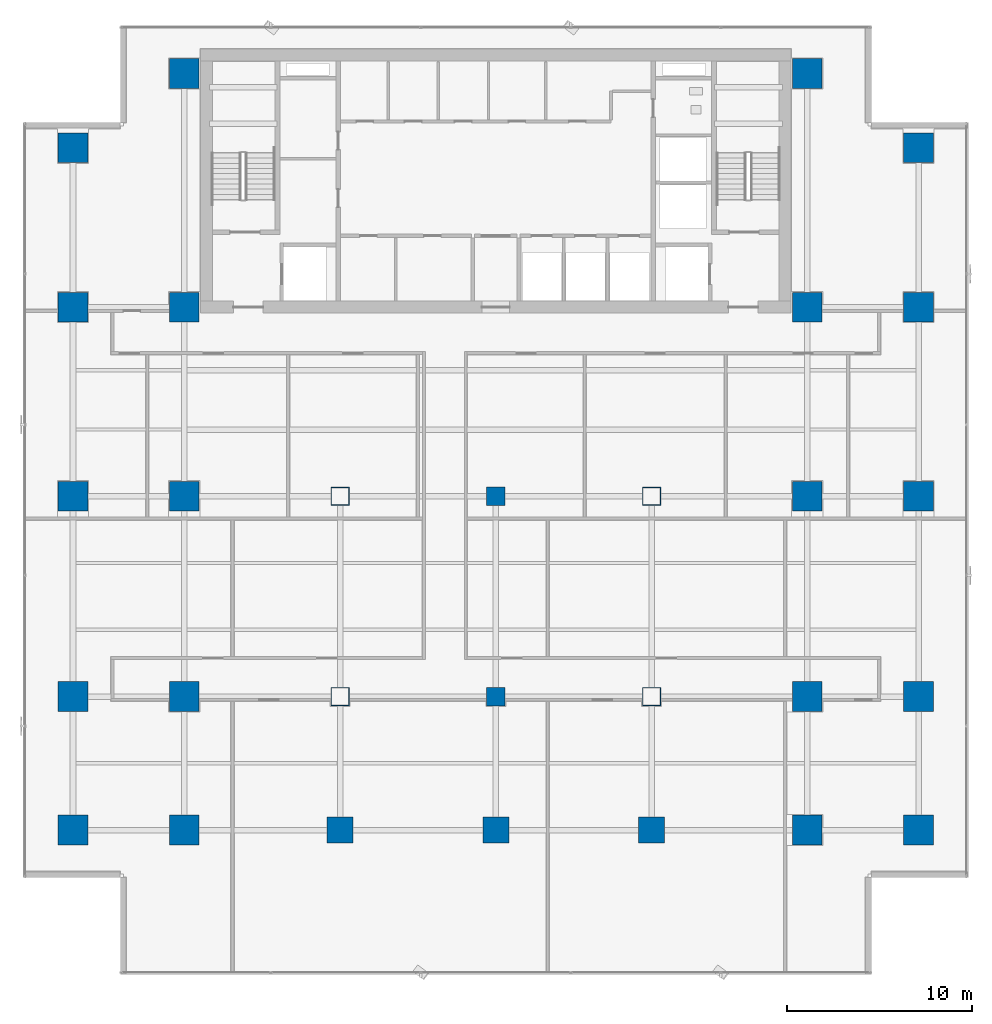
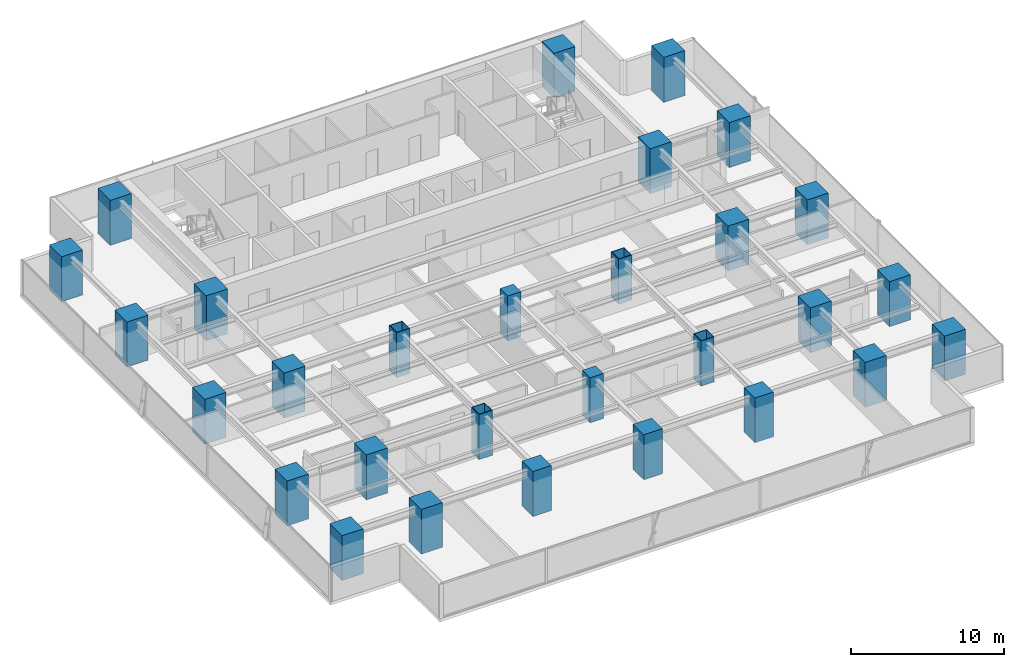
# One storey, part 1 of 37: 29 columns.
"""IFC4 building model written with IfcOpenShell, lengths in metres."""

from ifc_helpers import new_model, si_unit, direction, frame, origin, origin_2d, place, context, subcontext, project, spatial, rectangle, hollow_rectangle, extrude, source, transform, mapped, material, material_profile, profile_set, type_object, element, save


model = new_model("IFC4")

# Units and contexts
model_context = context("Model", 3, precision=1e-05, world=origin(), true_north=direction((0.0, 1.0)))
body_context = subcontext(model_context, "Body", "Model", "MODEL_VIEW")
ifc_project = project(units=[si_unit("LENGTHUNIT", "METRE"), si_unit("AREAUNIT", "SQUARE_METRE"), si_unit("VOLUMEUNIT", "CUBIC_METRE"), si_unit("PLANEANGLEUNIT", "RADIAN"), si_unit("MASSUNIT", "GRAM", prefix="KILO")], contexts=[model_context])

# Site, building, storey
site_placement = place(None, origin())
site = spatial("IfcSite", under=ifc_project, at=site_placement, CompositionType="ELEMENT")
building_placement = place(site_placement, origin())
building = spatial("IfcBuilding", under=site, at=building_placement, Name="Sumidabori Civic Tower", CompositionType="ELEMENT")
storey_placement = place(building_placement, frame((0.0, 0.0, 95.60009765625)))
storey = spatial("IfcBuildingStorey", under=building, at=storey_placement, Name="L24", CompositionType="ELEMENT", Elevation=95.60009765625)

# Columns
ifc_material_1 = material(Name="Concrete C60/75", Category="concrete")
ifc_material_profile_1 = material_profile(ifc_material_1, rectangle(XDim=1.60009765625, YDim=1.60009765625, at=origin_2d()), Name="RC 1600x1600")
ifc_profile_set_1 = profile_set([ifc_material_profile_1], Name="Concrete C60/75")
column_type_1 = type_object("IfcColumnType", Name="CL-MEGA-1600", PredefinedType="COLUMN", material=ifc_profile_set_1)
shared_shape_1 = source(origin(), body_context, "Body", "SweptSolid", [
    extrude(rectangle(XDim=1.60009765625, YDim=1.60009765625, at=origin_2d()), origin(), (0.0, 0.0, 1.0), 3.599853515625),
])
for number, where, z_axis, x_axis, name in (
    (1, (-16.800048828125, -18.0, 0.0), (0.0, 0.0, 1.0), (1.0, 0.0, 0.0), "Column MC-W16-Y18S L24"),
    (2, (-16.800048828125, -10.800048828125, 0.0), (0.0, 0.0, 1.0), (1.0, 0.0, 0.0), "Column MC-W16-Y11S L24"),
    (3, (-16.800048828125, 0.0, 0.0), (0.0, 0.0, 1.0), (1.0, 0.0, 0.0), "Column MC-W16-Y00 L24"),
    (4, (-16.800048828125, 10.199951171875, 0.0), (0.0, 0.0, 1.0), (1.0, 0.0, 0.0), "Column MC-W16-Y10N L24"),
    (5, (-16.800048828125, 22.800048828125, 0.0), (0.0, 0.0, 1.0), (1.0, 0.0, 0.0), "Column MC-W16-Y23N L24"),
    (6, (16.800048828125, -18.0, 0.0), (0.0, 0.0, 1.0), (1.0, 0.0, 0.0), "Column MC-E16-Y18S L24"),
    (7, (16.800048828125, -10.800048828125, 0.0), (0.0, 0.0, 1.0), (1.0, 0.0, 0.0), "Column MC-E16-Y11S L24"),
    (8, (16.800048828125, 0.0, 0.0), (0.0, 0.0, 1.0), (1.0, 0.0, 0.0), "Column MC-E16-Y00 L24"),
    (9, (16.800048828125, 10.199951171875, 0.0), (0.0, 0.0, 1.0), (1.0, 0.0, 0.0), "Column MC-E16-Y10N L24"),
    (10, (16.800048828125, 22.800048828125, 0.0), (0.0, 0.0, 1.0), (1.0, 0.0, 0.0), "Column MC-E16-Y23N L24"),
    (11, (-22.800048828125, -18.0, 0.0), (0.0, 0.0, 1.0), (1.0, 0.0, 0.0), "Column MC-W23-Y18S L24"),
    (12, (-22.800048828125, -10.800048828125, 0.0), (0.0, 0.0, 1.0), (1.0, 0.0, 0.0), "Column MC-W23-Y11S L24"),
    (13, (-22.800048828125, 0.0, 0.0), (0.0, 0.0, 1.0), (1.0, 0.0, 0.0), "Column MC-W23-Y00 L24"),
    (14, (-22.800048828125, 10.199951171875, 0.0), (0.0, 0.0, 1.0), (1.0, 0.0, 0.0), "Column MC-W23-Y10N L24"),
    (15, (-22.800048828125, 18.800048828125, 0.0), (0.0, 0.0, 1.0), (1.0, 0.0, 0.0), "Column MC-W23-Y19N L24"),
    (16, (22.800048828125, -18.0, 0.0), (0.0, 0.0, 1.0), (1.0, 0.0, 0.0), "Column MC-E23-Y18S L24"),
    (17, (22.800048828125, -10.800048828125, 0.0), (0.0, 0.0, 1.0), (1.0, 0.0, 0.0), "Column MC-E23-Y11S L24"),
    (18, (22.800048828125, 0.0, 0.0), (0.0, 0.0, 1.0), (1.0, 0.0, 0.0), "Column MC-E23-Y00 L24"),
    (19, (22.800048828125, 10.199951171875, 0.0), (0.0, 0.0, 1.0), (1.0, 0.0, 0.0), "Column MC-E23-Y10N L24"),
    (20, (22.800048828125, 18.800048828125, 0.0), (0.0, 0.0, 1.0), (1.0, 0.0, 0.0), "Column MC-E23-Y19N L24"),
):
    element("IfcColumn", number, at=place(storey_placement, frame(where, z_axis=z_axis, x_axis=x_axis)), inside=storey, type_object=column_type_1, Name=name, PredefinedType="COLUMN", context=body_context, shape_type="MappedRepresentation", body=[
        mapped(shared_shape_1, transform((0.0, 0.0, 0.0), x_axis=(1.0, 0.0, 0.0), y_axis=(0.0, 1.0, 0.0), z_axis=(0.0, 0.0, 1.0), scale=1.0)),
    ])
ifc_material_2 = material(Name="Steel SM570", Category="steel")
ifc_material_profile_2 = material_profile(ifc_material_2, hollow_rectangle(XDim=1.0, YDim=1.0, WallThickness=0.044921875, at=origin_2d()), Name="SHS 1000x1000x45")
ifc_profile_set_2 = profile_set([ifc_material_profile_2], Name="Steel SM570")
column_type_2 = type_object("IfcColumnType", Name="CL-PORTAL-SHS1000", PredefinedType="COLUMN", material=ifc_profile_set_2)
shared_shape_2 = source(origin(), body_context, "Body", "SweptSolid", [
    extrude(hollow_rectangle(XDim=1.0, YDim=1.0, WallThickness=0.044921875, at=origin_2d()), origin(), (0.0, 0.0, 1.0), 3.599853515625),
])
for number, where, z_axis, x_axis, name in (
    (21, (-8.39990234375, 0.0, 0.0), (0.0, 0.0, 1.0), (1.0, 0.0, 0.0), "Column MC-W08-Y00 L24"),
    (22, (-8.39990234375, -10.800048828125, 0.0), (0.0, 0.0, 1.0), (1.0, 0.0, 0.0), "Column MC-W08-Y11S L24"),
    (23, (8.39990234375, 0.0, 0.0), (0.0, 0.0, 1.0), (1.0, 0.0, 0.0), "Column MC-E08-Y00 L24"),
    (24, (8.39990234375, -10.800048828125, 0.0), (0.0, 0.0, 1.0), (1.0, 0.0, 0.0), "Column MC-E08-Y11S L24"),
):
    element("IfcColumn", number, at=place(storey_placement, frame(where, z_axis=z_axis, x_axis=x_axis)), inside=storey, type_object=column_type_2, Name=name, PredefinedType="COLUMN", context=body_context, shape_type="MappedRepresentation", body=[
        mapped(shared_shape_2, transform((0.0, 0.0, 0.0), x_axis=(1.0, 0.0, 0.0), y_axis=(0.0, 1.0, 0.0), z_axis=(0.0, 0.0, 1.0), scale=1.0)),
    ])
ifc_material_profile_3 = material_profile(ifc_material_1, rectangle(XDim=1.39990234375, YDim=1.39990234375, at=origin_2d()), Name="RC 1400x1400")
ifc_profile_set_3 = profile_set([ifc_material_profile_3], Name="Concrete C60/75")
column_type_3 = type_object("IfcColumnType", Name="CL-MEGA-1400", PredefinedType="COLUMN", material=ifc_profile_set_3)
shared_shape_3 = source(origin(), body_context, "Body", "SweptSolid", [
    extrude(rectangle(XDim=1.39990234375, YDim=1.39990234375, at=origin_2d()), origin(), (0.0, 0.0, 1.0), 3.599853515625),
])
for number, where, z_axis, x_axis, name in (
    (25, (-8.39990234375, -18.0, 0.0), (0.0, 0.0, 1.0), (1.0, 0.0, 0.0), "Column MC-W08-Y18S L24"),
    (26, (8.39990234375, -18.0, 0.0), (0.0, 0.0, 1.0), (1.0, 0.0, 0.0), "Column MC-E08-Y18S L24"),
    (27, (0.0, -18.0, 0.0), (0.0, 0.0, 1.0), (1.0, 0.0, 0.0), "Column MC-C00-Y18S L24"),
):
    element("IfcColumn", number, at=place(storey_placement, frame(where, z_axis=z_axis, x_axis=x_axis)), inside=storey, type_object=column_type_3, Name=name, PredefinedType="COLUMN", context=body_context, shape_type="MappedRepresentation", body=[
        mapped(shared_shape_3, transform((0.0, 0.0, 0.0), x_axis=(1.0, 0.0, 0.0), y_axis=(0.0, 1.0, 0.0), z_axis=(0.0, 0.0, 1.0), scale=1.0)),
    ])
ifc_material_3 = material(Name="Concrete C50/60", Category="concrete")
ifc_material_profile_4 = material_profile(ifc_material_3, rectangle(XDim=1.0, YDim=1.0, at=origin_2d()), Name="RC 1000x1000")
ifc_profile_set_4 = profile_set([ifc_material_profile_4], Name="Concrete C50/60")
column_type_4 = type_object("IfcColumnType", Name="CL-INT-1000", PredefinedType="COLUMN", material=ifc_profile_set_4)
shared_shape_4 = source(origin(), body_context, "Body", "SweptSolid", [
    extrude(rectangle(XDim=1.0, YDim=1.0, at=origin_2d()), origin(), (0.0, 0.0, 1.0), 3.599853515625),
])
for number, where, z_axis, x_axis, name in (
    (28, (0.0, -10.800048828125, 0.0), (0.0, 0.0, 1.0), (1.0, 0.0, 0.0), "Column MC-C00-Y11S L24"),
    (29, (0.0, 0.0, 0.0), (0.0, 0.0, 1.0), (1.0, 0.0, 0.0), "Column MC-C00-Y00 L24"),
):
    element("IfcColumn", number, at=place(storey_placement, frame(where, z_axis=z_axis, x_axis=x_axis)), inside=storey, type_object=column_type_4, Name=name, PredefinedType="COLUMN", context=body_context, shape_type="MappedRepresentation", body=[
        mapped(shared_shape_4, transform((0.0, 0.0, 0.0), x_axis=(1.0, 0.0, 0.0), y_axis=(0.0, 1.0, 0.0), z_axis=(0.0, 0.0, 1.0), scale=1.0)),
    ])

save(model, "model.ifc")
